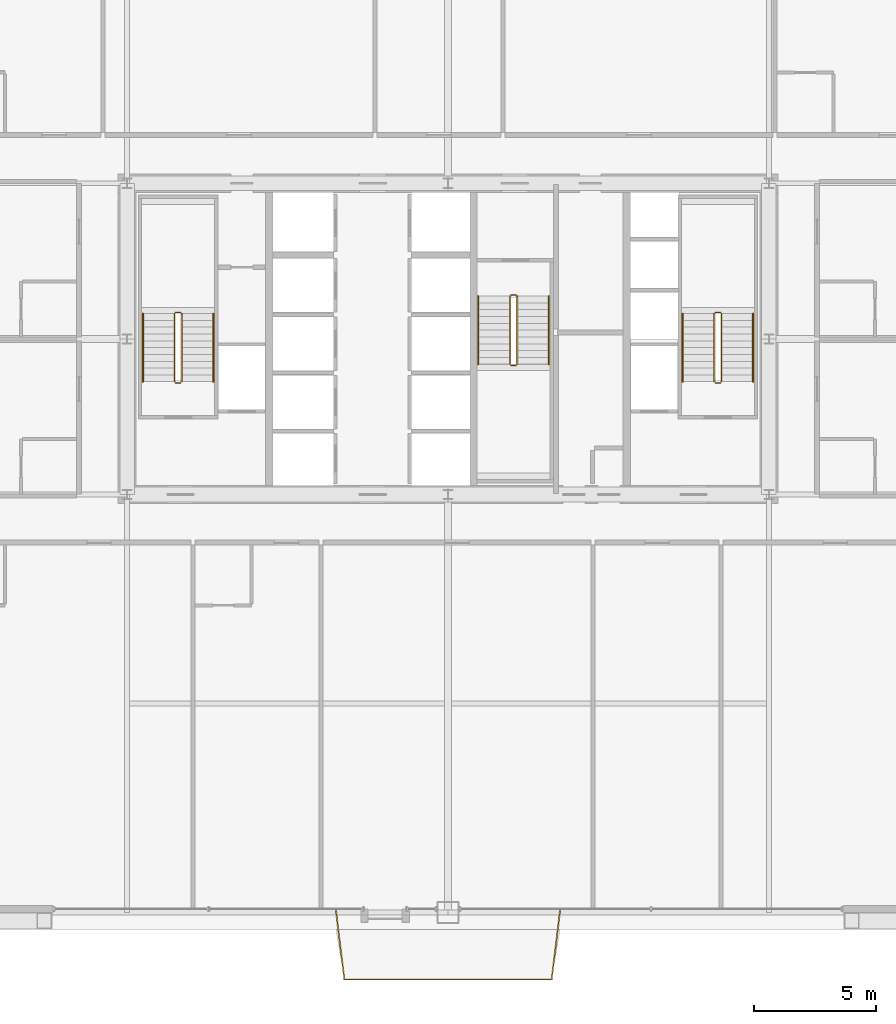
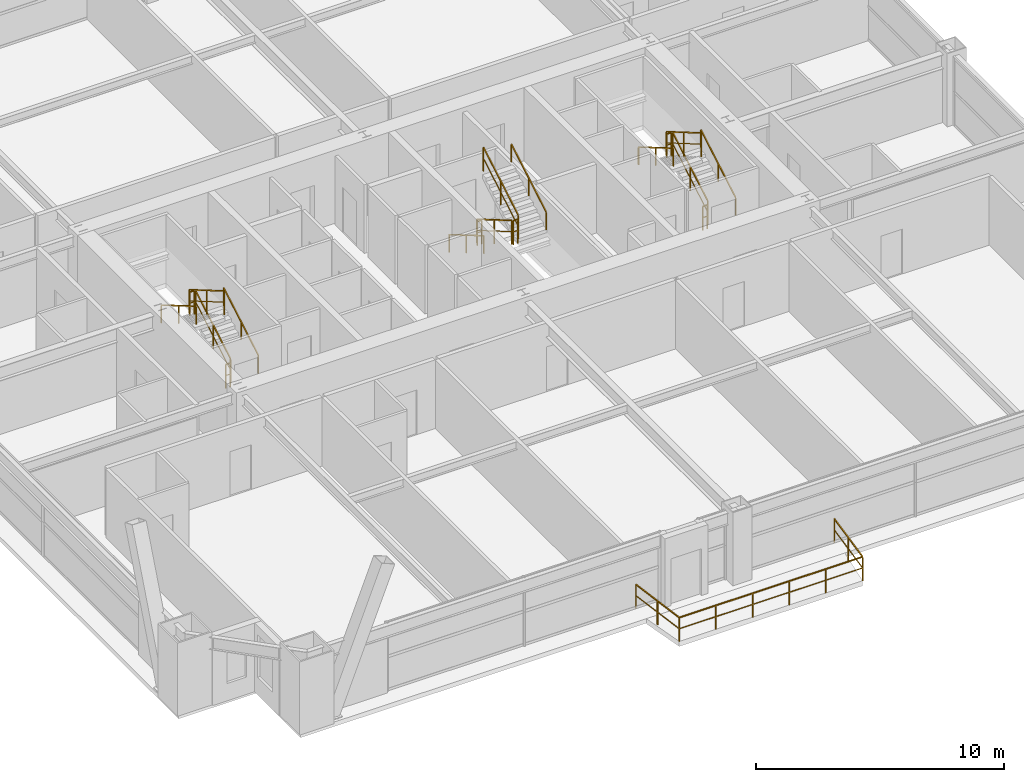
# One storey, part 43 of 43: 19 railings.
"""IFC4 building model written with IfcOpenShell, lengths in metres."""

from ifc_helpers import new_model, si_unit, direction, frame, origin, origin_2d, place, context, subcontext, project, spatial, rectangle, extrude, source, transform, mapped, material, layer, layer_set, type_object, element, save


model = new_model("IFC4")

# Units and contexts
model_context = context("Model", 3, precision=1e-05, world=origin(), true_north=direction((0.0, 1.0)))
body_context = subcontext(model_context, "Body", "Model", "MODEL_VIEW")
ifc_project = project(units=[si_unit("LENGTHUNIT", "METRE"), si_unit("AREAUNIT", "SQUARE_METRE"), si_unit("VOLUMEUNIT", "CUBIC_METRE"), si_unit("PLANEANGLEUNIT", "RADIAN"), si_unit("MASSUNIT", "GRAM", prefix="KILO"), si_unit("THERMODYNAMICTEMPERATUREUNIT", "KELVIN"), si_unit("POWERUNIT", "WATT")], contexts=[model_context])

# Site, building, storey
site_placement = place(None, origin())
site = spatial("IfcSite", under=ifc_project, at=site_placement, CompositionType="ELEMENT")
building_placement = place(site_placement, origin())
building = spatial("IfcBuilding", under=site, at=building_placement, Name="Yuzanri Waterfront Tower", CompositionType="ELEMENT")
storey_placement = place(building_placement, frame((0.0, 0.0, 138.0)))
storey = spatial("IfcBuildingStorey", under=building, at=storey_placement, Name="L36", CompositionType="ELEMENT", Elevation=138.0)

# Railings
ifc_material_1 = material(Name="Anodized Architectural Bronze", Category="metal")
ifc_layer_1 = layer(ifc_material_1, 0.080078125)
ifc_layer_set_1 = layer_set([ifc_layer_1], Name="Anodized Architectural Bronze")
railing_type_1 = type_object("IfcRailingType", Name="Laminated Glass and Bronze Balcony Guardrail 1200", PredefinedType="BALUSTRADE", material=ifc_layer_set_1)
shared_shape_1 = source(origin(), body_context, "Body", "SweptSolid", [
    extrude(rectangle(XDim=0.050048828125, YDim=0.050048828125, at=origin_2d()), frame((0.0, 0.0, 1.1748046875), z_axis=(0.119933942465, -0.992781874051, 0.0), x_axis=(0.992781874051, 0.119933942465, 0.0)), (0.0, 0.0, 1.0), 2.9169921875),
    extrude(rectangle(XDim=0.035888671875, YDim=0.030029296875, at=origin_2d()), frame((0.0, 0.0, 0.6240234375), z_axis=(0.119933942465, -0.992781874051, 0.0), x_axis=(0.992781874051, 0.119933942465, 0.0)), (0.0, 0.0, 1.0), 2.9169921875),
    extrude(rectangle(XDim=0.050048828125, YDim=0.050048828125, at=origin_2d()), frame((0.349853515625, -2.89599609375, 1.1748046875), z_axis=(1.0, 0.0, 0.0), x_axis=(0.0, 1.0, 0.0)), (0.0, 0.0, 1.0), 8.533203125),
    extrude(rectangle(XDim=0.035888671875, YDim=0.030029296875, at=origin_2d()), frame((0.349853515625, -2.89599609375, 0.6240234375), z_axis=(1.0, 0.0, 0.0), x_axis=(0.0, 1.0, 0.0)), (0.0, 0.0, 1.0), 8.533203125),
    extrude(rectangle(XDim=0.050048828125, YDim=0.050048828125, at=origin_2d()), frame((8.883056640625, -2.89599609375, 1.1748046875), z_axis=(0.119933942465, 0.992781874051, 0.0), x_axis=(-0.992781874051, 0.119933942465, 0.0)), (0.0, 0.0, 1.0), 2.9169921875),
    extrude(rectangle(XDim=0.035888671875, YDim=0.030029296875, at=origin_2d()), frame((8.883056640625, -2.89599609375, 0.6240234375), z_axis=(0.119933942465, 0.992781874051, 0.0), x_axis=(-0.992781874051, 0.119933942465, 0.0)), (0.0, 0.0, 1.0), 2.9169921875),
    extrude(rectangle(XDim=0.0458984375, YDim=0.0458984375, at=origin_2d()), origin(), (0.0, 0.0, 1.0), 1.14990234375),
    extrude(rectangle(XDim=0.0458984375, YDim=0.0458984375, at=origin_2d()), frame((0.1748046875, -1.447998046875, 0.0)), (0.0, 0.0, 1.0), 1.14990234375),
    extrude(rectangle(XDim=0.0458984375, YDim=0.0458984375, at=origin_2d()), frame((0.349853515625, -2.89599609375, 0.0)), (0.0, 0.0, 1.0), 1.14990234375),
    extrude(rectangle(XDim=0.0458984375, YDim=0.0458984375, at=origin_2d()), frame((2.056396484375, -2.89599609375, 0.0)), (0.0, 0.0, 1.0), 1.14990234375),
    extrude(rectangle(XDim=0.0458984375, YDim=0.0458984375, at=origin_2d()), frame((3.76318359375, -2.89599609375, 0.0)), (0.0, 0.0, 1.0), 1.14990234375),
    extrude(rectangle(XDim=0.0458984375, YDim=0.0458984375, at=origin_2d()), frame((5.4697265625, -2.89599609375, 0.0)), (0.0, 0.0, 1.0), 1.14990234375),
    extrude(rectangle(XDim=0.0458984375, YDim=0.0458984375, at=origin_2d()), frame((7.176513671875, -2.89599609375, 0.0)), (0.0, 0.0, 1.0), 1.14990234375),
    extrude(rectangle(XDim=0.0458984375, YDim=0.0458984375, at=origin_2d()), frame((8.883056640625, -2.89599609375, 0.0)), (0.0, 0.0, 1.0), 1.14990234375),
    extrude(rectangle(XDim=0.0458984375, YDim=0.0458984375, at=origin_2d()), frame((9.05810546875, -1.447998046875, 0.0)), (0.0, 0.0, 1.0), 1.14990234375),
    extrude(rectangle(XDim=0.0458984375, YDim=0.0458984375, at=origin_2d()), frame((9.23291015625, 0.0, 0.0)), (0.0, 0.0, 1.0), 1.14990234375),
])
railing_placement = place(storey_placement, frame((32.383544921875, 2.35009765625, 0.0)))
element("IfcRailing", 1, at=railing_placement, inside=storey, type_object=railing_type_1, Name="L36 S Engawa Terrace Guardrail", PredefinedType="BALUSTRADE", context=body_context, shape_type="MappedRepresentation", body=[
    mapped(shared_shape_1, transform((0.0, 0.0, 0.0), scale=1.0)),
])
ifc_material_2 = material(Name="Painted Galvanized Fire Steel", Category="steel")
ifc_layer_2 = layer(ifc_material_2, 0.06005859375)
ifc_layer_set_2 = layer_set([ifc_layer_2], Name="Painted Galvanized Fire Steel")
railing_type_2 = type_object("IfcRailingType", Name="Painted Steel Stairwell Guardrail 1120", PredefinedType="GUARDRAIL", material=ifc_layer_set_2)
shared_shape_2 = source(origin(), body_context, "Body", "SweptSolid", [
    extrude(rectangle(XDim=0.050048828125, YDim=0.050048828125, at=origin_2d()), frame((0.0, 0.0, 1.1748046875), z_axis=(-1.0, 0.0, 0.0), x_axis=(0.0, -1.0, 0.0)), (0.0, 0.0, 1.0), 0.199951171875),
    extrude(rectangle(XDim=0.035888671875, YDim=0.030029296875, at=origin_2d()), frame((0.0, 0.0, 0.6240234375), z_axis=(-1.0, 0.0, 0.0), x_axis=(0.0, -1.0, 0.0)), (0.0, 0.0, 1.0), 0.199951171875),
    extrude(rectangle(XDim=0.0458984375, YDim=0.0458984375, at=origin_2d()), origin(), (0.0, 0.0, 1.0), 1.14990234375),
    extrude(rectangle(XDim=0.0458984375, YDim=0.0458984375, at=origin_2d()), frame((-0.199951171875, 0.0, 0.0)), (0.0, 0.0, 1.0), 1.14990234375),
])
for number, where, name in (
    (2, (26.0, 26.889892578125, 1.800048828125), "L36 ST-01 stair guard 2"),
    (3, (26.0, 23.989990234375, 0.0), "L36 ST-01 stair guard 4"),
    (4, (48.199951171875, 26.889892578125, 1.800048828125), "L36 ST-02 stair guard 2"),
    (5, (48.199951171875, 23.989990234375, 0.0), "L36 ST-02 stair guard 4"),
):
    element("IfcRailing", number, at=place(storey_placement, frame(where)), inside=storey, type_object=railing_type_2, Name=name, PredefinedType="GUARDRAIL", context=body_context, shape_type="MappedRepresentation", body=[
        mapped(shared_shape_2, transform((0.0, 0.0, 0.0), scale=1.0)),
    ])
shared_shape_3 = source(origin(), body_context, "Body", "SweptSolid", [
    extrude(rectangle(XDim=0.050048828125, YDim=0.050048828125, at=origin_2d()), frame((0.0, 0.0, 1.1748046875), z_axis=(0.0, 0.863360870873, 0.504586966384), x_axis=(-1.0, 0.0, 0.0)), (0.0, 0.0, 1.0), 3.2431640625),
    extrude(rectangle(XDim=0.035888671875, YDim=0.030029296875, at=origin_2d()), frame((0.0, 0.0, 0.6240234375), z_axis=(0.0, 0.863360870873, 0.504586966384), x_axis=(-1.0, 0.0, 0.0)), (0.0, 0.0, 1.0), 3.2431640625),
    extrude(rectangle(XDim=0.0458984375, YDim=0.0458984375, at=origin_2d()), origin(), (0.0, 0.0, 1.0), 1.14990234375),
    extrude(rectangle(XDim=0.0458984375, YDim=0.0458984375, at=origin_2d()), frame((0.0, 1.39990234375, 0.818359375)), (0.0, 0.0, 1.0), 1.14990234375),
    extrude(rectangle(XDim=0.0458984375, YDim=0.0458984375, at=origin_2d()), frame((0.0, 2.800048828125, 1.636474609375)), (0.0, 0.0, 1.0), 1.14990234375),
])
for number, where, name in (
    (6, (26.050048828125, 24.0400390625, 0.16357421875), "L36 ST-01 stair guard 1"),
    (7, (48.25, 24.0400390625, 0.16357421875), "L36 ST-02 stair guard 1"),
    (8, (39.85009765625, 24.760009765625, 1.963623046875), "L36 ST-03 stair guard 3"),
):
    element("IfcRailing", number, at=place(storey_placement, frame(where)), inside=storey, type_object=railing_type_2, Name=name, PredefinedType="GUARDRAIL", context=body_context, shape_type="MappedRepresentation", body=[
        mapped(shared_shape_3, transform((0.0, 0.0, 0.0), scale=1.0)),
    ])
shared_shape_4 = source(origin(), body_context, "Body", "SweptSolid", [
    extrude(rectangle(XDim=0.050048828125, YDim=0.050048828125, at=origin_2d()), frame((0.0, 0.0, 1.1748046875), z_axis=(0.0, -0.863360870873, 0.504586966384), x_axis=(1.0, 0.0, 0.0)), (0.0, 0.0, 1.0), 3.2431640625),
    extrude(rectangle(XDim=0.035888671875, YDim=0.030029296875, at=origin_2d()), frame((0.0, 0.0, 0.6240234375), z_axis=(0.0, -0.863360870873, 0.504586966384), x_axis=(1.0, 0.0, 0.0)), (0.0, 0.0, 1.0), 3.2431640625),
    extrude(rectangle(XDim=0.0458984375, YDim=0.0458984375, at=origin_2d()), origin(), (0.0, 0.0, 1.0), 1.14990234375),
    extrude(rectangle(XDim=0.0458984375, YDim=0.0458984375, at=origin_2d()), frame((0.0, -1.39990234375, 0.818359375)), (0.0, 0.0, 1.0), 1.14990234375),
    extrude(rectangle(XDim=0.0458984375, YDim=0.0458984375, at=origin_2d()), frame((0.0, -2.800048828125, 1.636474609375)), (0.0, 0.0, 1.0), 1.14990234375),
])
for number, where, name in (
    (9, (25.75, 26.840087890625, 1.963623046875), "L36 ST-01 stair guard 3"),
    (10, (47.949951171875, 26.840087890625, 1.963623046875), "L36 ST-02 stair guard 3"),
    (11, (39.550048828125, 27.56005859375, 0.16357421875), "L36 ST-03 stair guard 1"),
):
    element("IfcRailing", number, at=place(storey_placement, frame(where)), inside=storey, type_object=railing_type_2, Name=name, PredefinedType="GUARDRAIL", context=body_context, shape_type="MappedRepresentation", body=[
        mapped(shared_shape_4, transform((0.0, 0.0, 0.0), scale=1.0)),
    ])
ifc_material_3 = material(Name="Anodized Architectural Bronze", Category="metal")
ifc_layer_3 = layer(ifc_material_3, 0.050048828125)
ifc_layer_set_3 = layer_set([ifc_layer_3], Name="Anodized Architectural Bronze")
railing_type_3 = type_object("IfcRailingType", Name="Brushed Bronze Stair Pitch Handrail 920", PredefinedType="HANDRAIL", material=ifc_layer_set_3)
shared_shape_5 = source(origin(), body_context, "Body", "SweptSolid", [
    extrude(rectangle(XDim=0.050048828125, YDim=0.050048828125, at=origin_2d()), frame((0.0, 0.0, 0.875), z_axis=(0.0, 0.863360870873, 0.504586966384), x_axis=(-1.0, 0.0, 0.0)), (0.0, 0.0, 1.0), 3.2431640625),
    extrude(rectangle(XDim=0.0458984375, YDim=0.0458984375, at=origin_2d()), origin(), (0.0, 0.0, 1.0), 0.849853515625),
    extrude(rectangle(XDim=0.0458984375, YDim=0.0458984375, at=origin_2d()), frame((0.0, 1.39990234375, 0.818359375)), (0.0, 0.0, 1.0), 0.849853515625),
    extrude(rectangle(XDim=0.0458984375, YDim=0.0458984375, at=origin_2d()), frame((0.0, 2.800048828125, 1.636474609375)), (0.0, 0.0, 1.0), 0.849853515625),
])
for number, where, name in (
    (12, (27.35009765625, 24.0400390625, 0.16357421875), "L36 ST-01 stair handrail 1"),
    (13, (49.550048828125, 24.0400390625, 0.16357421875), "L36 ST-02 stair handrail 1"),
    (14, (41.14990234375, 24.760009765625, 1.963623046875), "L36 ST-03 stair handrail 2"),
):
    element("IfcRailing", number, at=place(storey_placement, frame(where)), inside=storey, type_object=railing_type_3, Name=name, PredefinedType="HANDRAIL", context=body_context, shape_type="MappedRepresentation", body=[
        mapped(shared_shape_5, transform((0.0, 0.0, 0.0), scale=1.0)),
    ])
shared_shape_6 = source(origin(), body_context, "Body", "SweptSolid", [
    extrude(rectangle(XDim=0.050048828125, YDim=0.050048828125, at=origin_2d()), frame((0.0, 0.0, 0.875), z_axis=(0.0, -0.863360870873, 0.504586966384), x_axis=(1.0, 0.0, 0.0)), (0.0, 0.0, 1.0), 3.2431640625),
    extrude(rectangle(XDim=0.0458984375, YDim=0.0458984375, at=origin_2d()), origin(), (0.0, 0.0, 1.0), 0.849853515625),
    extrude(rectangle(XDim=0.0458984375, YDim=0.0458984375, at=origin_2d()), frame((0.0, -1.39990234375, 0.818359375)), (0.0, 0.0, 1.0), 0.849853515625),
    extrude(rectangle(XDim=0.0458984375, YDim=0.0458984375, at=origin_2d()), frame((0.0, -2.800048828125, 1.636474609375)), (0.0, 0.0, 1.0), 0.849853515625),
])
for number, where, name in (
    (15, (24.449951171875, 26.840087890625, 1.963623046875), "L36 ST-01 stair handrail 2"),
    (16, (46.64990234375, 26.840087890625, 1.963623046875), "L36 ST-02 stair handrail 2"),
    (17, (38.25, 27.56005859375, 0.16357421875), "L36 ST-03 stair handrail 1"),
):
    element("IfcRailing", number, at=place(storey_placement, frame(where)), inside=storey, type_object=railing_type_3, Name=name, PredefinedType="HANDRAIL", context=body_context, shape_type="MappedRepresentation", body=[
        mapped(shared_shape_6, transform((0.0, 0.0, 0.0), scale=1.0)),
    ])
shared_shape_7 = source(origin(), body_context, "Body", "SweptSolid", [
    extrude(rectangle(XDim=0.050048828125, YDim=0.050048828125, at=origin_2d()), frame((0.0, 0.0, 1.1748046875), z_axis=(1.0, 0.0, 0.0), x_axis=(0.0, 1.0, 0.0)), (0.0, 0.0, 1.0), 0.199951171875),
    extrude(rectangle(XDim=0.035888671875, YDim=0.030029296875, at=origin_2d()), frame((0.0, 0.0, 0.6240234375), z_axis=(1.0, 0.0, 0.0), x_axis=(0.0, 1.0, 0.0)), (0.0, 0.0, 1.0), 0.199951171875),
    extrude(rectangle(XDim=0.0458984375, YDim=0.0458984375, at=origin_2d()), origin(), (0.0, 0.0, 1.0), 1.14990234375),
    extrude(rectangle(XDim=0.0458984375, YDim=0.0458984375, at=origin_2d()), frame((0.199951171875, 0.0, 0.0)), (0.0, 0.0, 1.0), 1.14990234375),
])
for number, where, name in (
    (18, (39.60009765625, 24.7099609375, 1.800048828125), "L36 ST-03 stair guard 2"),
    (19, (39.60009765625, 27.610107421875, 0.0), "L36 ST-03 stair guard 4"),
):
    element("IfcRailing", number, at=place(storey_placement, frame(where)), inside=storey, type_object=railing_type_2, Name=name, PredefinedType="GUARDRAIL", context=body_context, shape_type="MappedRepresentation", body=[
        mapped(shared_shape_7, transform((0.0, 0.0, 0.0), scale=1.0)),
    ])

save(model, "model.ifc")
